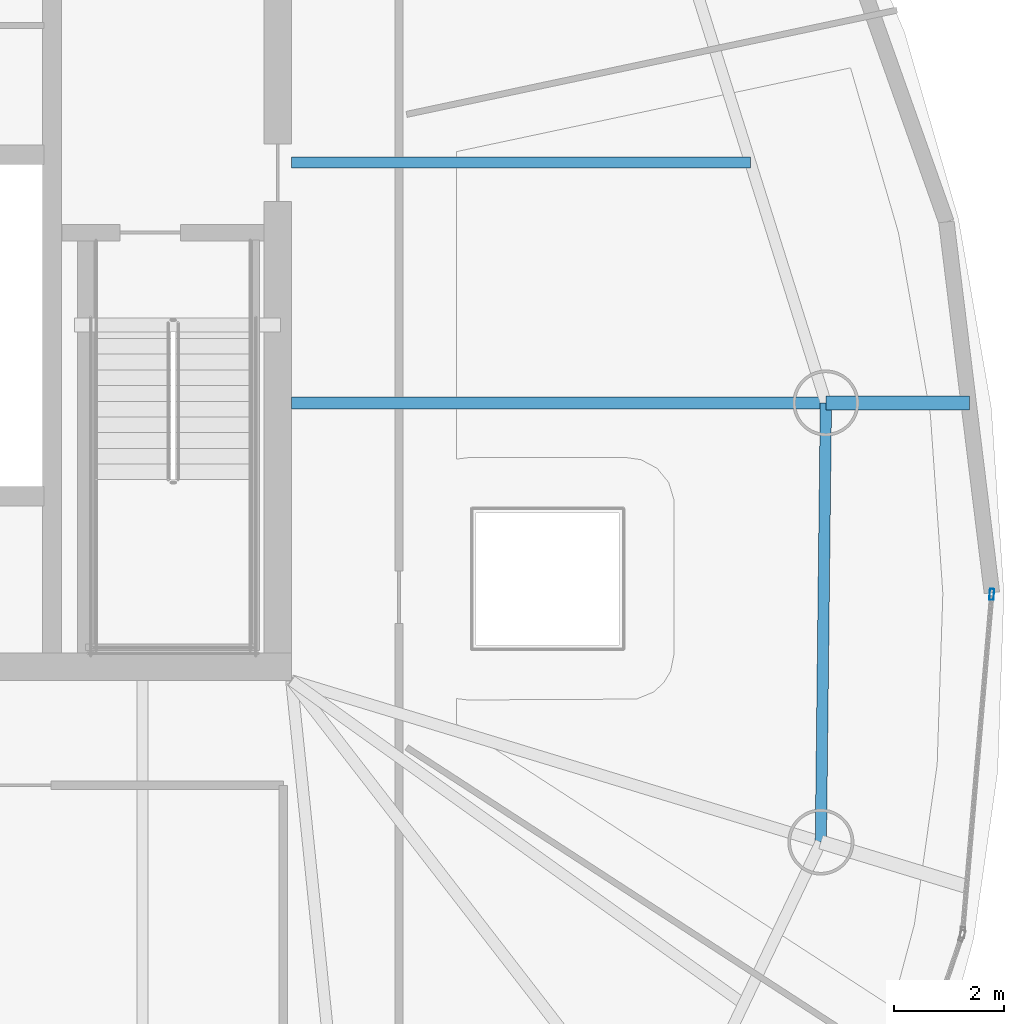
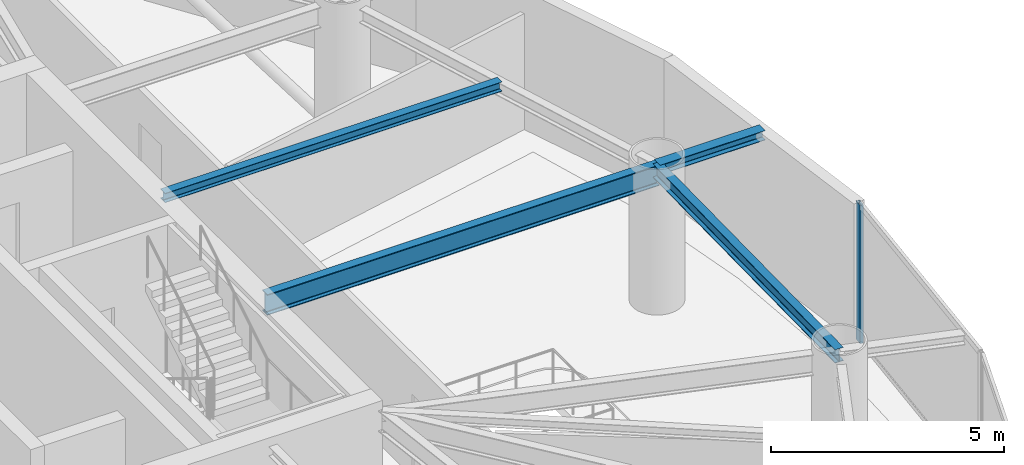
# One storey, part 9 of 22: 4 beams, 1 member, 1 element without a shape of its own.
"""IFC4 building model written with IfcOpenShell, lengths in metres."""

from ifc_helpers import new_model, si_unit, direction, frame, origin, origin_2d, place, context, subcontext, project, spatial, hollow_rectangle, i_section, extrude, material, layer, layer_set, material_profile, profile_set, type_object, element, aggregate, save


model = new_model("IFC4")

# Units and contexts
model_context = context("Model", 3, precision=1e-05, world=origin(), true_north=direction((0.0, 1.0)))
body_context = subcontext(model_context, "Body", "Model", "MODEL_VIEW")
ifc_project = project(units=[si_unit("LENGTHUNIT", "METRE"), si_unit("AREAUNIT", "SQUARE_METRE"), si_unit("VOLUMEUNIT", "CUBIC_METRE"), si_unit("PLANEANGLEUNIT", "RADIAN"), si_unit("MASSUNIT", "GRAM", prefix="KILO")], contexts=[model_context])

# Site, building, storey
site_placement = place(None, origin())
site = spatial("IfcSite", under=ifc_project, at=site_placement, CompositionType="ELEMENT")
building_placement = place(site_placement, origin())
building = spatial("IfcBuilding", under=site, at=building_placement, Name="Bramvorn Convention Spire", CompositionType="ELEMENT")
storey_placement = place(building_placement, frame((0.0, 0.0, 225.10009765625)))
storey = spatial("IfcBuildingStorey", under=building, at=storey_placement, Name="L57", CompositionType="ELEMENT", Elevation=225.10009765625)

# Beams
ifc_material_1 = material(Name="Steel CSA G40.21 Grade 350 (350W)", Category="steel")
ifc_material_profile_1 = material_profile(ifc_material_1, i_section(OverallWidth=0.201904296875, OverallDepth=0.2470703125, WebThickness=0.00732421875, FlangeThickness=0.010986328125, FilletRadius=0.011962890625, at=origin_2d()))
ifc_profile_set_1 = profile_set([ifc_material_profile_1], Name="Steel CSA G40.21 Grade 350 (350W) - W250X49")
beam_type_1 = type_object("IfcBeamType", Name="BM-W250X49", PredefinedType="JOIST", material=ifc_profile_set_1)
beam_1_placement = place(storey_placement, frame((49.25, 27.960205078125, 3.496337890625), z_axis=(1.0, 0.0, 0.0), x_axis=(0.0, 1.0, 0.0)))
element("IfcBeam", 1, at=beam_1_placement, inside=storey, type_object=beam_type_1, Name="L57 composite floor joist 03", PredefinedType="JOIST", context=body_context, shape_type="SweptSolid", body=[
    extrude(i_section(OverallWidth=0.201904296875, OverallDepth=0.2470703125, WebThickness=0.00732421875, FlangeThickness=0.010986328125, FilletRadius=0.011962890625, at=origin_2d()), origin(), (0.0, 0.0, 1.0), 8.33251953125),
])
ifc_material_profile_2 = material_profile(ifc_material_1, i_section(OverallWidth=0.25390625, OverallDepth=0.2529296875, WebThickness=0.008544921875, FlangeThickness=0.01416015625, FilletRadius=0.011962890625, at=origin_2d()))
ifc_profile_set_2 = profile_set([ifc_material_profile_2], Name="Steel CSA G40.21 Grade 350 (350W) - W250X73")
beam_type_2 = type_object("IfcBeamType", Name="BM-W250X73", PredefinedType="BEAM", material=ifc_profile_set_2)
beam_2_placement = place(storey_placement, frame((58.95458984375, 23.593505859375, 3.493408203125), z_axis=(1.0, 0.0, 0.0), x_axis=(0.0, 1.0, 0.0)))
element("IfcBeam", 2, at=beam_2_placement, inside=storey, type_object=beam_type_2, Name="L57 slab-edge cantilever tip beam MC03", PredefinedType="BEAM", context=body_context, shape_type="SweptSolid", body=[
    extrude(i_section(OverallWidth=0.25390625, OverallDepth=0.2529296875, WebThickness=0.008544921875, FlangeThickness=0.01416015625, FilletRadius=0.011962890625, at=origin_2d()), origin(), (0.0, 0.0, 1.0), 2.6064453125),
])
ifc_material_profile_3 = material_profile(ifc_material_1, i_section(OverallWidth=0.205078125, OverallDepth=0.35400390625, WebThickness=0.009521484375, FlangeThickness=0.016845703125, FilletRadius=0.014892578125, at=origin_2d()))
ifc_profile_set_3 = profile_set([ifc_material_profile_3], Name="Steel CSA G40.21 Grade 350 (350W) - W360X79")
beam_type_3 = type_object("IfcBeamType", Name="BM-W360X79", PredefinedType="JOIST", material=ifc_profile_set_3)
beam_3_placement = place(storey_placement, frame((58.863037109375, 15.619384765625, 3.44287109375), z_axis=(0.011480475367, 0.999934097171, 0.0), x_axis=(-0.999934097171, 0.011480475367, 0.0)))
element("IfcBeam", 3, at=beam_3_placement, inside=storey, type_object=beam_type_3, Name="L57 mega-column ring beam 02", PredefinedType="JOIST", context=body_context, shape_type="SweptSolid", body=[
    extrude(i_section(OverallWidth=0.205078125, OverallDepth=0.35400390625, WebThickness=0.009521484375, FlangeThickness=0.016845703125, FilletRadius=0.014892578125, at=origin_2d()), origin(), (0.0, 0.0, 1.0), 7.974609375),
])
ifc_material_profile_4 = material_profile(ifc_material_1, i_section(OverallWidth=0.2119140625, OverallDepth=0.5439453125, WebThickness=0.01318359375, FlangeThickness=0.021240234375, FilletRadius=0.01904296875, at=origin_2d()))
ifc_profile_set_4 = profile_set([ifc_material_profile_4], Name="Steel CSA G40.21 Grade 350 (350W) - W530X123")
beam_type_4 = type_object("IfcBeamType", Name="BM-W530X123", PredefinedType="BEAM", material=ifc_profile_set_4)
beam_4_placement = place(storey_placement, frame((49.25, 23.593505859375, 3.347900390625), z_axis=(1.0, 0.0, 0.0), x_axis=(0.0, 1.0, 0.0)))
element("IfcBeam", 4, at=beam_4_placement, inside=storey, type_object=beam_type_4, Name="L57 radial floor girder MC03", PredefinedType="BEAM", context=body_context, shape_type="SweptSolid", body=[
    extrude(i_section(OverallWidth=0.2119140625, OverallDepth=0.5439453125, WebThickness=0.01318359375, FlangeThickness=0.021240234375, FilletRadius=0.01904296875, at=origin_2d()), origin(), (0.0, 0.0, 1.0), 9.70458984375),
])

# Curtain wall, member
ifc_material_2 = material(Name="Anodised Bronze Unitised Curtain Wall", Category="aluminium")
ifc_layer = layer(ifc_material_2, 0.179931640625)
ifc_layer_set = layer_set([ifc_layer], Name="Anodised Bronze Unitised Curtain Wall - CW-OFF-FRIT")
curtain_wall_type = type_object("IfcCurtainWallType", Name="CW-OFF-FRIT", PredefinedType="USERDEFINED", material=ifc_layer_set)
curtain_wall_placement = place(storey_placement, origin())
curtain_wall = element("IfcCurtainWall", 5, at=curtain_wall_placement, inside=storey, type_object=curtain_wall_type, Name="L57 fritted glass curtain wall 03", ObjectType="UNITISED CURTAIN WALL", PredefinedType="USERDEFINED")
ifc_material_3 = material(Name="Anodised Bronze Aluminium 6063-T6", Category="aluminium")
ifc_material_profile_5 = material_profile(ifc_material_3, hollow_rectangle(XDim=0.080078125, YDim=0.199951171875, WallThickness=0.00390625, InnerFilletRadius=0.0009765625, OuterFilletRadius=0.00390625, at=origin_2d()))
ifc_profile_set_5 = profile_set([ifc_material_profile_5], Name="Anodised Bronze Aluminium 6063-T6 - CWM80X200")
member_type = type_object("IfcMemberType", Name="CW-MUL-180", PredefinedType="MULLION", material=ifc_profile_set_5)
member_placement = place(storey_placement, frame((61.96728515625, 20.118408203125, 0.0), z_axis=(0.0, 0.0, 1.0), x_axis=(0.996302944191, -0.08590950702, 0.0)))
member = element("IfcMember", 6, at=member_placement, type_object=member_type, Name="CW3 mullion 1", PredefinedType="MULLION", context=body_context, shape_type="SweptSolid", body=[
    extrude(hollow_rectangle(XDim=0.080078125, YDim=0.199951171875, WallThickness=0.00390625, InnerFilletRadius=0.0009765625, OuterFilletRadius=0.00390625, at=origin_2d()), origin(), (0.0, 0.0, 1.0), 3.619873046875),
])
aggregate(curtain_wall, [member])

save(model, "model.ifc")
